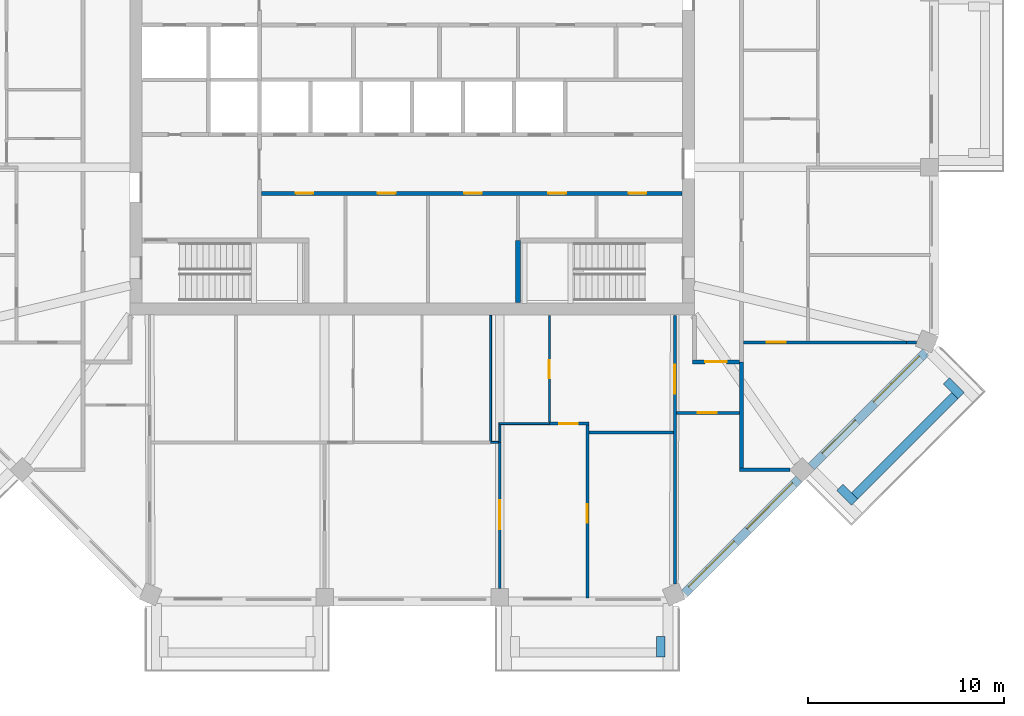
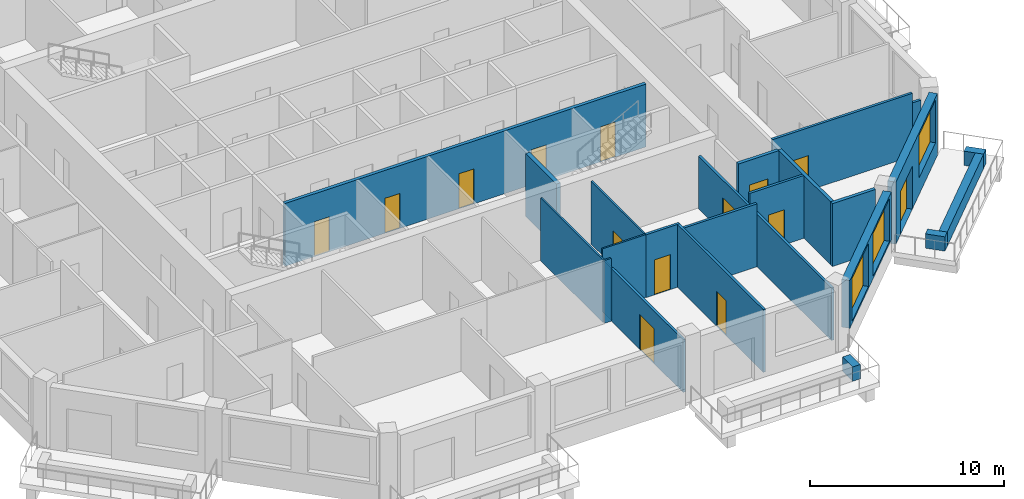
# One storey, part 5 of 12: 24 walls, 14 doors, 3 windows, 17 openings.
"""IFC4 building model written with IfcOpenShell, lengths in metres."""

import ifcopenshell
import ifcopenshell.guid

model = None  # the IFC model being written
_history = None  # IfcOwnerHistory: only IFC2X3 demands one
_inside = {}  # id of a spatial element -> (the spatial element, [elements in it])
_under = {}  # id of a project, library or spatial element -> (it, [spatial elements below it])
_declared = {}  # id of a project -> (the project, [libraries it declares])
_typed = {}  # id of a type object -> (the type object, [elements of that type])
_made_of = {}  # id of a material, layer set ... -> (it, [elements and type objects made of it])


def new_model(schema):
    """Start an empty IFC model of exactly this schema.

    Asked for "IFC4X3", IfcOpenShell would pick the latest addendum, in which some entities
    have other attributes; the version numbers below select the first issue.
    IFC2X3 requires an IfcOwnerHistory on every rooted entity: one is made here for all.
    """
    global model, _history
    if schema == "IFC4X3":
        model = ifcopenshell.file(schema_version=(4, 3, 0, 0))
    else:
        model = ifcopenshell.file(schema=schema)
    _inside.clear()
    _under.clear()
    _declared.clear()
    _typed.clear()
    _made_of.clear()
    _history = None
    if model.schema == "IFC2X3":
        org = make("IfcOrganization", Name="unknown")
        user = make(
            "IfcPersonAndOrganization",
            ThePerson=make("IfcPerson", FamilyName="unknown"),
            TheOrganization=org,
        )
        app = make(
            "IfcApplication",
            ApplicationDeveloper=org,
            Version="unknown",
            ApplicationFullName="unknown",
            ApplicationIdentifier="unknown",
        )
        _history = make(
            "IfcOwnerHistory",
            OwningUser=user,
            OwningApplication=app,
            ChangeAction="ADDED",
            CreationDate=0,
        )
    return model


def make(cls, **values):
    """One entity of the class cls with the attributes given. An attribute that is None is left unset."""
    return model.create_entity(
        cls, **{name: value for name, value in values.items() if value is not None}
    )


def rooted(cls, **values):
    """An entity with a GlobalId (a new one), such as an element, a storey or a relation."""
    return make(cls, GlobalId=ifcopenshell.guid.new(), OwnerHistory=_history, **values)


def si_unit(unit_type, name, prefix=None):
    """IfcSIUnit, for example si_unit("LENGTHUNIT", "METRE", prefix="MILLI")."""
    return make("IfcSIUnit", UnitType=unit_type, Prefix=prefix, Name=name)


def assignment(units):
    """IfcUnitAssignment: the units of a project."""
    return None if units is None else make("IfcUnitAssignment", Units=units)


def point(xyz):
    """IfcCartesianPoint."""
    return None if xyz is None else make("IfcCartesianPoint", Coordinates=xyz)


def direction(xyz):
    """IfcDirection."""
    return None if xyz is None else make("IfcDirection", DirectionRatios=xyz)


def frame(location, z_axis=None, x_axis=None):
    """IfcAxis2Placement3D, a coordinate frame: its origin and axes. An axis left out is left unset."""
    return make(
        "IfcAxis2Placement3D",
        Location=point(location),
        Axis=direction(z_axis),
        RefDirection=direction(x_axis),
    )


def frame_2d(location, x_axis=None):
    """IfcAxis2Placement2D, a coordinate frame in the plane: its origin and x axis."""
    return make(
        "IfcAxis2Placement2D", Location=point(location), RefDirection=direction(x_axis)
    )


def origin():
    """The frame at (0, 0, 0) with its axes left unset."""
    return frame((0.0, 0.0, 0.0))


def place(relative_to, where):
    """IfcLocalPlacement: puts the frame where relative to a parent placement (None: the world)."""
    return make(
        "IfcLocalPlacement", PlacementRelTo=relative_to, RelativePlacement=where
    )


def context(
    kind, dimensions, precision=None, world=None, true_north=None, identifier=None
):
    """IfcGeometricRepresentationContext, for example the 3D "Model" context."""
    return make(
        "IfcGeometricRepresentationContext",
        ContextIdentifier=identifier,
        ContextType=kind,
        CoordinateSpaceDimension=dimensions,
        Precision=precision,
        WorldCoordinateSystem=world,
        TrueNorth=true_north,
    )


def subcontext(parent, identifier, kind, view, scale=None):
    """IfcGeometricRepresentationSubContext, for example "Body" below "Model"."""
    return make(
        "IfcGeometricRepresentationSubContext",
        ContextIdentifier=identifier,
        ContextType=kind,
        ParentContext=parent,
        TargetScale=scale,
        TargetView=view,
    )


def project(units=None, contexts=None):
    """IfcProject with its units and contexts."""
    return rooted(
        "IfcProject",
        Name="project",
        RepresentationContexts=contexts,
        UnitsInContext=assignment(units),
    )


def spatial(cls, under=None, at=None, **own):
    """A site, building, storey or space (cls), placed at a placement, below another one or the project."""
    s = rooted(cls, ObjectPlacement=at, **own)
    if under is not None:
        _under.setdefault(under.id(), (under, []))[1].append(s)
    return s


def profile(cls, at=None, kind="AREA", **sizes):
    """A parametric profile (cls). Its sizes go by their IFC names, for example OverallWidth=200.0."""
    return make(cls, ProfileType=kind, Position=at, **sizes)


def rectangle(**sizes):
    """IfcRectangleProfileDef."""
    return profile("IfcRectangleProfileDef", **sizes)


def extrude(swept, where, along, depth):
    """IfcExtrudedAreaSolid: the profile swept, set in the frame where, extruded along a direction by depth."""
    return make(
        "IfcExtrudedAreaSolid",
        SweptArea=swept,
        Position=where,
        ExtrudedDirection=direction(along),
        Depth=depth,
    )


def shape(context_of_items, identifier, shape_type, items):
    """IfcShapeRepresentation: the items that make up one representation, for example the "Body"."""
    return make(
        "IfcShapeRepresentation",
        ContextOfItems=context_of_items,
        RepresentationIdentifier=identifier,
        RepresentationType=shape_type,
        Items=items,
    )


def material(Name=None, Category=None):
    """IfcMaterial."""
    return make("IfcMaterial", Name=Name, Category=Category)


def layer(
    of_material, thickness, ventilated=None, Name=None, Category=None, Priority=None
):
    """IfcMaterialLayer: one layer of a wall or slab, of a material (None: an air gap)."""
    return make(
        "IfcMaterialLayer",
        Material=of_material,
        LayerThickness=thickness,
        IsVentilated=ventilated,
        Name=Name,
        Category=Category,
        Priority=Priority,
    )


def layer_set(layers, Name=None):
    """IfcMaterialLayerSet."""
    return make("IfcMaterialLayerSet", MaterialLayers=layers, LayerSetName=Name)


def made_of(thing, what):
    """Note that an element or type object is made of a material, layer set ...; save() writes the relation."""
    if what is not None:
        _made_of.setdefault(what.id(), (what, []))[1].append(thing)
    return thing


def type_object(cls, material=None, **own):
    """A type object (cls), such as IfcWallType, which elements share."""
    return made_of(rooted(cls, **own), material)


def element(
    cls,
    number,
    at=None,
    inside=None,
    cuts=None,
    type_object=None,
    material=None,
    context=None,
    identifier="Body",
    shape_type=None,
    held_by="IfcProductDefinitionShape",
    body=None,
    shapes=None,
    **own,
):
    """One element of the class cls, such as IfcWall. Its Tag is "e" and its number.

    at: its placement. inside: the storey or other place that contains it. cuts: it is an
    opening in that element (IfcRelVoidsElement). A single representation is given by context,
    identifier, shape_type and body (its items); several are given by shapes. held_by: the class
    of the entity that holds the representations. save() writes the other relations.
    """
    e = rooted(cls, Tag="e%d" % number, ObjectPlacement=at, **own)
    if body is not None:
        shapes = [shape(context, identifier, shape_type, body)]
    if shapes is not None:
        e.Representation = make(held_by, Representations=shapes)
    if inside is not None:
        _inside.setdefault(inside.id(), (inside, []))[1].append(e)
    if cuts is not None:
        rooted(
            "IfcRelVoidsElement", RelatingBuildingElement=cuts, RelatedOpeningElement=e
        )
    if type_object is not None:
        _typed.setdefault(type_object.id(), (type_object, []))[1].append(e)
    return made_of(e, material)


def fill(opening, filler):
    """IfcRelFillsElement: the door or window that sits in an opening."""
    return rooted(
        "IfcRelFillsElement",
        RelatingOpeningElement=opening,
        RelatedBuildingElement=filler,
    )


def aggregate(whole, parts):
    """IfcRelAggregates: a whole, such as a stair, and the parts it consists of."""
    return rooted("IfcRelAggregates", RelatingObject=whole, RelatedObjects=parts)


def save(model, path):
    """Write the relations noted so far, then the file.

    IfcRelAggregates (storeys below a building ...), IfcRelContainedInSpatialStructure (elements
    in a storey), IfcRelDefinesByType, IfcRelAssociatesMaterial and IfcRelDeclares: one each for
    every whole, place, type object, material and project.
    """
    for whole, parts in _under.values():
        aggregate(whole, parts)
    for where, things in _inside.values():
        rooted(
            "IfcRelContainedInSpatialStructure",
            RelatedElements=things,
            RelatingStructure=where,
        )
    for kind, things in _typed.values():
        rooted("IfcRelDefinesByType", RelatedObjects=things, RelatingType=kind)
    for what, things in _made_of.values():
        rooted("IfcRelAssociatesMaterial", RelatedObjects=things, RelatingMaterial=what)
    for by, libraries in _declared.values():
        rooted("IfcRelDeclares", RelatingContext=by, RelatedDefinitions=libraries)
    model.write(path)


model = new_model("IFC4")

# Units and contexts
model_context = context("Model", 3, precision=1e-05, world=origin(), true_north=direction((0.0, 1.0)))
body_context = subcontext(model_context, "Body", "Model", "MODEL_VIEW")
ifc_project = project(units=[si_unit("LENGTHUNIT", "METRE"), si_unit("AREAUNIT", "SQUARE_METRE"), si_unit("VOLUMEUNIT", "CUBIC_METRE"), si_unit("PLANEANGLEUNIT", "RADIAN"), si_unit("MASSUNIT", "GRAM", prefix="KILO")], contexts=[model_context])

# Site, building, storey
site_placement = place(None, origin())
site = spatial("IfcSite", under=ifc_project, at=site_placement, CompositionType="ELEMENT")
building_placement = place(site_placement, origin())
building = spatial("IfcBuilding", under=site, at=building_placement, Name="Msitu Wima Residences", CompositionType="ELEMENT")
storey_placement = place(building_placement, frame((0.0, 0.0, 218.10009765625)))
storey = spatial("IfcBuildingStorey", under=building, at=storey_placement, Name="L50", CompositionType="ELEMENT", Elevation=218.10009765625)

# Walls
ifc_material_1 = material(Name="Facing brick")
ifc_layer_1 = layer(ifc_material_1, 0.06494140625, Name="Facing brick")
ifc_material_2 = material(Name="Concrete C40/50", Category="concrete")
ifc_layer_2 = layer(ifc_material_2, 0.156005859375, Name="Concrete C40/50")
ifc_material_3 = material(Name="Waterproofing membrane")
ifc_layer_3 = layer(ifc_material_3, 0.00390625, Name="Waterproofing membrane")
ifc_material_4 = material(Name="Planting soil and planting")
ifc_layer_4 = layer(ifc_material_4, 0.22509765625, Name="Planting soil and planting")
ifc_layer_set_1 = layer_set([ifc_layer_1, ifc_layer_2, ifc_layer_3, ifc_layer_4], Name="Concrete C40/50")
wall_type_1 = type_object("IfcWallType", Name="Balcony planter PLANTER PL450", PredefinedType="USERDEFINED", material=ifc_layer_set_1)
wall_1_placement = place(storey_placement, frame((12.680908203125, -28.39990234375, 0.0), z_axis=(0.0, 0.0, 1.0), x_axis=(0.0, -1.0, 0.0)))
element("IfcWall", 1, at=wall_1_placement, inside=storey, type_object=wall_type_1, Name="Balcony planter S2 L50", ObjectType="PLANTER", PredefinedType="USERDEFINED", context=body_context, shape_type="SweptSolid", body=[
    extrude(rectangle(XDim=1.050048828125, YDim=0.449951171875, at=frame_2d((0.52490234375, 0.0))), origin(), (0.0, 0.0, 1.0), 0.89990234375),
])
wall_2_placement = place(storey_placement, frame((22.572265625, -21.228759765625, 0.0), z_axis=(0.0, 0.0, 1.0), x_axis=(0.707106781187, 0.707106781187, 0.0)))
element("IfcWall", 2, at=wall_2_placement, inside=storey, type_object=wall_type_1, Name="Balcony planter SE1 L50", ObjectType="PLANTER", PredefinedType="USERDEFINED", context=body_context, shape_type="SweptSolid", body=[
    extrude(rectangle(XDim=7.23828125, YDim=0.449951171875, at=frame_2d((3.619140625, 0.0))), origin(), (0.0, 0.0, 1.0), 0.89990234375),
])
for number, where, z_axis, x_axis, name in (
    (3, (21.829833984375, -20.804443359375, 0.0), (0.0, 0.0, 1.0), (0.707106781187, -0.707106781187, 0.0), "Balcony planter SE1 L50"),
    (4, (27.26611328125, -15.3681640625, 0.0), (0.0, 0.0, 1.0), (0.707223014731, -0.706990528533, 0.0), "Balcony planter SE1 L50"),
):
    element("IfcWall", number, at=place(storey_placement, frame(where, z_axis=z_axis, x_axis=x_axis)), inside=storey, type_object=wall_type_1, Name=name, ObjectType="PLANTER", PredefinedType="USERDEFINED", context=body_context, shape_type="SweptSolid", body=[
        extrude(rectangle(XDim=1.050048828125, YDim=0.449951171875, at=frame_2d((0.52490234375, 0.0))), origin(), (0.0, 0.0, 1.0), 0.89990234375),
    ])

# Wall, openings, windows
ifc_material_5 = material(Name="Brick (red buff mix)", Category="masonry")
ifc_layer_5 = layer(ifc_material_5, 0.449951171875)
ifc_layer_set_2 = layer_set([ifc_layer_5], Name="Brick (red buff mix)")
wall_type_2 = type_object("IfcWallType", Name="Brick infill wall BW450", PredefinedType="SOLIDWALL", material=ifc_layer_set_2)
wall_3_placement = place(storey_placement, frame((13.909423828125, -26.214599609375, 0.89990234375), z_axis=(0.0, 0.0, 1.0), x_axis=(0.707106781187, 0.707106781187, 0.0)))
wall_3 = element("IfcWall", 5, at=wall_3_placement, inside=storey, type_object=wall_type_2, Name="Brick infill wall L50 SE0", PredefinedType="SOLIDWALL", context=body_context, shape_type="SweptSolid", body=[
    extrude(rectangle(XDim=8.251220703125, YDim=0.449951171875, at=frame_2d((4.12548828125, 0.0))), origin(), (0.0, 0.0, 1.0), 3.0),
])
opening_1_placement = place(wall_3_placement, frame((0.37548828125, 0.0, 0.14990234375)))
opening_1 = element("IfcOpeningElement", 6, at=opening_1_placement, cuts=wall_3, Name="Opening W50-51.020", PredefinedType="OPENING", context=body_context, shape_type="SweptSolid", body=[
    extrude(rectangle(XDim=3.300048828125, YDim=2.699951171875, at=frame_2d((1.64990234375, 1.35009765625))), frame((0.0, 0.23486328125, 0.0), z_axis=(0.0, -1.0, 0.0), x_axis=(1.0, 0.0, 0.0)), (0.0, 0.0, 1.0), 0.469970703125),
])
opening_2_placement = place(wall_3_placement, frame((4.57568359375, 0.0, 0.14990234375)))
opening_2 = element("IfcOpeningElement", 7, at=opening_2_placement, cuts=wall_3, Name="Opening W50-51.021", PredefinedType="OPENING", context=body_context, shape_type="SweptSolid", body=[
    extrude(rectangle(XDim=3.300048828125, YDim=2.699951171875, at=frame_2d((1.64990234375, 1.35009765625))), frame((0.0, 0.23486328125, 0.0), z_axis=(0.0, -1.0, 0.0), x_axis=(1.0, 0.0, 0.0)), (0.0, 0.0, 1.0), 0.469970703125),
])
ifc_material_6 = material(Name="Anodised aluminium, bronze finish, clear low-emissivity double glazing", Category="aluminium")
window_type = type_object("IfcWindowType", Name="Window W3300x2700", PartitioningType="DOUBLE_PANEL_VERTICAL", PredefinedType="WINDOW", material=ifc_material_6)
window_1_placement = place(opening_1_placement, origin())
window_1 = element("IfcWindow", 8, at=window_1_placement, inside=storey, type_object=window_type, Name="Window L50 SE0.1", OverallHeight=2.699951171875, OverallWidth=3.300048828125, PartitioningType="SINGLE_PANEL", PredefinedType="WINDOW", context=body_context, shape_type="SweptSolid", body=[
    extrude(rectangle(XDim=3.300048828125, YDim=2.699951171875, at=frame_2d((1.64990234375, 1.35009765625))), frame((0.0, 0.135009765625, 0.0), z_axis=(0.0, -1.0, 0.0), x_axis=(1.0, 0.0, 0.0)), (0.0, 0.0, 1.0), 0.06005859375),
])
fill(opening_1, window_1)
window_2_placement = place(opening_2_placement, origin())
window_2 = element("IfcWindow", 9, at=window_2_placement, inside=storey, type_object=window_type, Name="Window L50 SE0.2", OverallHeight=2.699951171875, OverallWidth=3.300048828125, PartitioningType="SINGLE_PANEL", PredefinedType="WINDOW", context=body_context, shape_type="SweptSolid", body=[
    extrude(rectangle(XDim=3.300048828125, YDim=2.699951171875, at=frame_2d((1.64990234375, 1.35009765625))), frame((0.0, 0.135009765625, 0.0), z_axis=(0.0, -1.0, 0.0), x_axis=(1.0, 0.0, 0.0)), (0.0, 0.0, 1.0), 0.06005859375),
])
fill(opening_2, window_2)

# Wall, openings, door, window
wall_4_placement = place(storey_placement, frame((20.380126953125, -19.743896484375, 0.0), z_axis=(0.0, 0.0, 1.0), x_axis=(0.707106781187, 0.707106781187, 0.0)))
wall_4 = element("IfcWall", 10, at=wall_4_placement, inside=storey, type_object=wall_type_2, Name="Brick infill wall L50 SE1", PredefinedType="SOLIDWALL", context=body_context, shape_type="SweptSolid", body=[
    extrude(rectangle(XDim=8.251220703125, YDim=0.449951171875, at=frame_2d((4.12548828125, 0.0))), origin(), (0.0, 0.0, 1.0), 3.89990234375),
])
opening_3_placement = place(wall_4_placement, frame((0.86279296875, 0.0, 0.0)))
opening_3 = element("IfcOpeningElement", 11, at=opening_3_placement, cuts=wall_4, Name="Opening D50-51.008", PredefinedType="OPENING", context=body_context, shape_type="SweptSolid", body=[
    extrude(rectangle(XDim=2.39990234375, YDim=2.699951171875, at=frame_2d((1.199951171875, 1.35009765625))), frame((0.0, 0.23486328125, 0.0), z_axis=(0.0, -1.0, 0.0), x_axis=(1.0, 0.0, 0.0)), (0.0, 0.0, 1.0), 0.469970703125),
])
opening_4_placement = place(wall_4_placement, frame((4.57568359375, 0.0, 1.050048828125)))
opening_4 = element("IfcOpeningElement", 12, at=opening_4_placement, cuts=wall_4, Name="Opening W50-51.022", PredefinedType="OPENING", context=body_context, shape_type="SweptSolid", body=[
    extrude(rectangle(XDim=3.300048828125, YDim=2.699951171875, at=frame_2d((1.64990234375, 1.35009765625))), frame((0.0, 0.23486328125, 0.0), z_axis=(0.0, -1.0, 0.0), x_axis=(1.0, 0.0, 0.0)), (0.0, 0.0, 1.0), 0.469970703125),
])
door_type_1 = type_object("IfcDoorType", Name="Balcony door D2400x2700", OperationType="SLIDING_TO_LEFT", PredefinedType="DOOR", material=ifc_material_6)
door_1_placement = place(opening_3_placement, origin())
door_1 = element("IfcDoor", 13, at=door_1_placement, inside=storey, type_object=door_type_1, Name="Balcony door L50 SE1", OperationType="SINGLE_SWING_LEFT", OverallHeight=2.699951171875, OverallWidth=2.39990234375, PredefinedType="DOOR", context=body_context, shape_type="SweptSolid", body=[
    extrude(rectangle(XDim=2.39990234375, YDim=2.699951171875, at=frame_2d((1.199951171875, 1.35009765625))), frame((0.0, 0.1298828125, 0.0), z_axis=(0.0, -1.0, 0.0), x_axis=(1.0, 0.0, 0.0)), (0.0, 0.0, 1.0), 0.050048828125),
])
fill(opening_3, door_1)
window_3_placement = place(opening_4_placement, origin())
window_3 = element("IfcWindow", 14, at=window_3_placement, inside=storey, type_object=window_type, Name="Window L50 SE1.2", OverallHeight=2.699951171875, OverallWidth=3.300048828125, PartitioningType="SINGLE_PANEL", PredefinedType="WINDOW", context=body_context, shape_type="SweptSolid", body=[
    extrude(rectangle(XDim=3.300048828125, YDim=2.699951171875, at=frame_2d((1.64990234375, 1.35009765625))), frame((0.0, 0.135009765625, 0.0), z_axis=(0.0, -1.0, 0.0), x_axis=(1.0, 0.0, 0.0)), (0.0, 0.0, 1.0), 0.06005859375),
])
fill(opening_4, window_3)

# Wall, openings, doors
ifc_material_7 = material(Name="Plaster")
ifc_layer_6 = layer(ifc_material_7, 0.011962890625, Name="Plaster")
ifc_material_8 = material(Name="Concrete blockwork", Category="masonry")
ifc_layer_7 = layer(ifc_material_8, 0.176025390625, Name="Concrete blockwork")
ifc_layer_8 = layer(ifc_material_7, 0.011962890625, Name="Plaster")
ifc_layer_set_3 = layer_set([ifc_layer_6, ifc_layer_7, ifc_layer_8], Name="Concrete blockwork")
wall_type_3 = type_object("IfcWallType", Name="Corridor wall FW200", PredefinedType="PARTITIONING", material=ifc_layer_set_3)
wall_5_placement = place(storey_placement, frame((-7.699951171875, -5.800048828125, 0.0), z_axis=(0.0, 0.0, 1.0), x_axis=(1.0, 0.0, 0.0)))
wall_5 = element("IfcWall", 15, at=wall_5_placement, inside=storey, type_object=wall_type_3, Name="Corridor wall", PredefinedType="PARTITIONING", context=body_context, shape_type="SweptSolid", body=[
    extrude(rectangle(XDim=21.469970703125, YDim=0.199951171875, at=frame_2d((10.73486328125, 0.0))), origin(), (0.0, 0.0, 1.0), 3.949951171875),
])
opening_5_placement = place(wall_5_placement, frame((1.75, 0.0, 0.0)))
opening_5 = element("IfcOpeningElement", 16, at=opening_5_placement, cuts=wall_5, Name="Opening D50-51.067", PredefinedType="OPENING", context=body_context, shape_type="SweptSolid", body=[
    extrude(rectangle(XDim=0.89990234375, YDim=2.199951171875, at=frame_2d((0.449951171875, 1.10009765625))), frame((0.0, 0.10986328125, 0.0), z_axis=(0.0, -1.0, 0.0), x_axis=(1.0, 0.0, 0.0)), (0.0, 0.0, 1.0), 0.219970703125),
])
opening_6_placement = place(wall_5_placement, frame((5.949951171875, 0.0, 0.0)))
opening_6 = element("IfcOpeningElement", 17, at=opening_6_placement, cuts=wall_5, Name="Opening D50-51.068", PredefinedType="OPENING", context=body_context, shape_type="SweptSolid", body=[
    extrude(rectangle(XDim=0.89990234375, YDim=2.199951171875, at=frame_2d((0.449951171875, 1.10009765625))), frame((0.0, 0.10986328125, 0.0), z_axis=(0.0, -1.0, 0.0), x_axis=(1.0, 0.0, 0.0)), (0.0, 0.0, 1.0), 0.219970703125),
])
opening_7_placement = place(wall_5_placement, frame((10.35009765625, 0.0, 0.0)))
opening_7 = element("IfcOpeningElement", 18, at=opening_7_placement, cuts=wall_5, Name="Opening D50-51.069", PredefinedType="OPENING", context=body_context, shape_type="SweptSolid", body=[
    extrude(rectangle(XDim=0.89990234375, YDim=2.199951171875, at=frame_2d((0.449951171875, 1.10009765625))), frame((0.0, 0.10986328125, 0.0), z_axis=(0.0, -1.0, 0.0), x_axis=(1.0, 0.0, 0.0)), (0.0, 0.0, 1.0), 0.219970703125),
])
opening_8_placement = place(wall_5_placement, frame((14.64990234375, 0.0, 0.0)))
opening_8 = element("IfcOpeningElement", 19, at=opening_8_placement, cuts=wall_5, Name="Opening D50-51.070", PredefinedType="OPENING", context=body_context, shape_type="SweptSolid", body=[
    extrude(rectangle(XDim=0.89990234375, YDim=2.199951171875, at=frame_2d((0.449951171875, 1.10009765625))), frame((0.0, 0.10986328125, 0.0), z_axis=(0.0, -1.0, 0.0), x_axis=(1.0, 0.0, 0.0)), (0.0, 0.0, 1.0), 0.219970703125),
])
opening_9_placement = place(wall_5_placement, frame((18.75, 0.0, 0.0)))
opening_9 = element("IfcOpeningElement", 20, at=opening_9_placement, cuts=wall_5, Name="Opening D50-51.071", PredefinedType="OPENING", context=body_context, shape_type="SweptSolid", body=[
    extrude(rectangle(XDim=0.89990234375, YDim=2.199951171875, at=frame_2d((0.449951171875, 1.10009765625))), frame((0.0, 0.10986328125, 0.0), z_axis=(0.0, -1.0, 0.0), x_axis=(1.0, 0.0, 0.0)), (0.0, 0.0, 1.0), 0.219970703125),
])
ifc_material_9 = material(Name="Timber flush door", Category="wood")
door_type_2 = type_object("IfcDoorType", Name="Service door D05 900x2200", OperationType="SINGLE_SWING_LEFT", PredefinedType="DOOR", material=ifc_material_9)
door_2_placement = place(opening_5_placement, origin())
door_2 = element("IfcDoor", 21, at=door_2_placement, inside=storey, type_object=door_type_2, Name="Service door", OperationType="SINGLE_SWING_LEFT", OverallHeight=2.199951171875, OverallWidth=0.89990234375, PredefinedType="DOOR", context=body_context, shape_type="SweptSolid", body=[
    extrude(rectangle(XDim=0.89990234375, YDim=2.199951171875, at=frame_2d((0.449951171875, 1.10009765625))), frame((0.0, 0.02490234375, 0.0), z_axis=(0.0, -1.0, 0.0), x_axis=(1.0, 0.0, 0.0)), (0.0, 0.0, 1.0), 0.050048828125),
])
fill(opening_5, door_2)
door_3_placement = place(opening_6_placement, origin())
door_3 = element("IfcDoor", 22, at=door_3_placement, inside=storey, type_object=door_type_2, Name="Service door", OperationType="SINGLE_SWING_RIGHT", OverallHeight=2.199951171875, OverallWidth=0.89990234375, PredefinedType="DOOR", context=body_context, shape_type="SweptSolid", body=[
    extrude(rectangle(XDim=0.89990234375, YDim=2.199951171875, at=frame_2d((0.449951171875, 1.10009765625))), frame((0.0, 0.02490234375, 0.0), z_axis=(0.0, -1.0, 0.0), x_axis=(1.0, 0.0, 0.0)), (0.0, 0.0, 1.0), 0.050048828125),
])
fill(opening_6, door_3)
door_4_placement = place(opening_7_placement, origin())
door_4 = element("IfcDoor", 23, at=door_4_placement, inside=storey, type_object=door_type_2, Name="Service door", OperationType="SINGLE_SWING_LEFT", OverallHeight=2.199951171875, OverallWidth=0.89990234375, PredefinedType="DOOR", context=body_context, shape_type="SweptSolid", body=[
    extrude(rectangle(XDim=0.89990234375, YDim=2.199951171875, at=frame_2d((0.449951171875, 1.10009765625))), frame((0.0, 0.02490234375, 0.0), z_axis=(0.0, -1.0, 0.0), x_axis=(1.0, 0.0, 0.0)), (0.0, 0.0, 1.0), 0.050048828125),
])
fill(opening_7, door_4)
door_5_placement = place(opening_8_placement, origin())
door_5 = element("IfcDoor", 24, at=door_5_placement, inside=storey, type_object=door_type_2, Name="Service door", OperationType="SINGLE_SWING_LEFT", OverallHeight=2.199951171875, OverallWidth=0.89990234375, PredefinedType="DOOR", context=body_context, shape_type="SweptSolid", body=[
    extrude(rectangle(XDim=0.89990234375, YDim=2.199951171875, at=frame_2d((0.449951171875, 1.10009765625))), frame((0.0, 0.02490234375, 0.0), z_axis=(0.0, -1.0, 0.0), x_axis=(1.0, 0.0, 0.0)), (0.0, 0.0, 1.0), 0.050048828125),
])
fill(opening_8, door_5)
door_6_placement = place(opening_9_placement, origin())
door_6 = element("IfcDoor", 25, at=door_6_placement, inside=storey, type_object=door_type_2, Name="Service door", OperationType="SINGLE_SWING_RIGHT", OverallHeight=2.199951171875, OverallWidth=0.89990234375, PredefinedType="DOOR", context=body_context, shape_type="SweptSolid", body=[
    extrude(rectangle(XDim=0.89990234375, YDim=2.199951171875, at=frame_2d((0.449951171875, 1.10009765625))), frame((0.0, 0.02490234375, 0.0), z_axis=(0.0, -1.0, 0.0), x_axis=(1.0, 0.0, 0.0)), (0.0, 0.0, 1.0), 0.050048828125),
])
fill(opening_9, door_6)

# Wall, opening, door
wall_6_placement = place(storey_placement, frame((14.300048828125, -14.39990234375, 0.0), z_axis=(0.0, 0.0, 1.0), x_axis=(1.0, 0.0, 0.0)))
wall_6 = element("IfcWall", 26, at=wall_6_placement, inside=storey, type_object=wall_type_3, Name="Corridor wall", PredefinedType="PARTITIONING", context=body_context, shape_type="SweptSolid", body=[
    extrude(rectangle(XDim=2.39990234375, YDim=0.199951171875, at=frame_2d((1.199951171875, 0.0))), origin(), (0.0, 0.0, 1.0), 3.949951171875),
])
opening_10_placement = place(wall_6_placement, frame((0.64990234375, 0.0, 0.0)))
opening_10 = element("IfcOpeningElement", 27, at=opening_10_placement, cuts=wall_6, Name="Opening D50-51.046", PredefinedType="OPENING", context=body_context, shape_type="SweptSolid", body=[
    extrude(rectangle(XDim=1.10009765625, YDim=2.39990234375, at=frame_2d((0.550048828125, 1.199951171875))), frame((0.0, 0.10986328125, 0.0), z_axis=(0.0, -1.0, 0.0), x_axis=(1.0, 0.0, 0.0)), (0.0, 0.0, 1.0), 0.219970703125),
])
ifc_material_10 = material(Name="Timber flush door, fire resisting, self-closing", Category="wood")
door_type_3 = type_object("IfcDoorType", Name="Flat entrance door D01 1100x2400", OperationType="SINGLE_SWING_LEFT", PredefinedType="DOOR", material=ifc_material_10)
door_7_placement = place(opening_10_placement, origin())
door_7 = element("IfcDoor", 28, at=door_7_placement, inside=storey, type_object=door_type_3, Name="Flat entrance door", OperationType="SINGLE_SWING_LEFT", OverallHeight=2.39990234375, OverallWidth=1.10009765625, PredefinedType="DOOR", context=body_context, shape_type="SweptSolid", body=[
    extrude(rectangle(XDim=1.10009765625, YDim=2.39990234375, at=frame_2d((0.550048828125, 1.199951171875))), frame((0.0, 0.02490234375, 0.0), z_axis=(0.0, -1.0, 0.0), x_axis=(1.0, 0.0, 0.0)), (0.0, 0.0, 1.0), 0.050048828125),
])
fill(opening_10, door_7)

ifc_layer_9 = layer(ifc_material_7, 0.011962890625, Name="Plaster")
ifc_layer_10 = layer(ifc_material_8, 0.1259765625, Name="Concrete blockwork")
ifc_layer_11 = layer(ifc_material_7, 0.011962890625, Name="Plaster")
ifc_layer_set_4 = layer_set([ifc_layer_9, ifc_layer_10, ifc_layer_11], Name="Concrete blockwork")
wall_type_4 = type_object("IfcWallType", Name="Partition PW150", PredefinedType="PARTITIONING", material=ifc_layer_set_4)
wall_7_placement = place(storey_placement, frame((4.46875, -25.949951171875, 0.0), z_axis=(0.0, 0.0, 1.0), x_axis=(0.0, 1.0, 0.0)))
wall_7 = element("IfcWall", 29, at=wall_7_placement, inside=storey, type_object=wall_type_4, Name="Partition", PredefinedType="PARTITIONING", context=body_context, shape_type="SweptSolid", body=[
    extrude(rectangle(XDim=7.449951171875, YDim=0.14990234375, at=frame_2d((3.72509765625, 0.0))), origin(), (0.0, 0.0, 1.0), 3.2998046875),
])
opening_11_placement = place(wall_7_placement, frame((3.0, 0.0, 0.0)))
opening_11 = element("IfcOpeningElement", 30, at=opening_11_placement, cuts=wall_7, Name="Opening D50-51.056", PredefinedType="OPENING", context=body_context, shape_type="SweptSolid", body=[
    extrude(rectangle(XDim=1.5, YDim=2.199951171875, at=frame_2d((0.75, 1.10009765625))), frame((0.0, 0.0849609375, 0.0), z_axis=(0.0, -1.0, 0.0), x_axis=(1.0, 0.0, 0.0)), (0.0, 0.0, 1.0), 0.169921875),
])
ifc_material_11 = material(Name="Timber double door", Category="wood")
door_type_4 = type_object("IfcDoorType", Name="Double door D04 1500x2200", OperationType="DOUBLE_DOOR_SINGLE_SWING", PredefinedType="DOOR", material=ifc_material_11)
door_8_placement = place(opening_11_placement, origin())
door_8 = element("IfcDoor", 31, at=door_8_placement, inside=storey, type_object=door_type_4, Name="Double door", OperationType="DOUBLE_DOOR_SINGLE_SWING", OverallHeight=2.199951171875, OverallWidth=1.5, PredefinedType="DOOR", context=body_context, shape_type="SweptSolid", body=[
    extrude(rectangle(XDim=1.5, YDim=2.199951171875, at=frame_2d((0.75, 1.10009765625))), frame((0.0, 0.02490234375, 0.0), z_axis=(0.0, -1.0, 0.0), x_axis=(1.0, 0.0, 0.0)), (0.0, 0.0, 1.0), 0.050048828125),
])
fill(opening_11, door_8)

wall_8_placement = place(storey_placement, frame((7.0, -17.550048828125, 0.0), z_axis=(0.0, 0.0, 1.0), x_axis=(1.0, 0.0, 0.0)))
wall_8 = element("IfcWall", 32, at=wall_8_placement, inside=storey, type_object=wall_type_4, Name="Partition", PredefinedType="PARTITIONING", context=body_context, shape_type="SweptSolid", body=[
    extrude(rectangle(XDim=2.01220703125, YDim=0.14990234375, at=frame_2d((1.006103515625, 0.0))), origin(), (0.0, 0.0, 1.0), 3.949951171875),
])
opening_12_placement = place(wall_8_placement, frame((0.5, 0.0, 0.0)))
opening_12 = element("IfcOpeningElement", 33, at=opening_12_placement, cuts=wall_8, Name="Opening D50-51.052", PredefinedType="OPENING", context=body_context, shape_type="SweptSolid", body=[
    extrude(rectangle(XDim=0.949951171875, YDim=2.199951171875, at=frame_2d((0.47509765625, 1.10009765625))), frame((0.0, 0.0849609375, 0.0), z_axis=(0.0, -1.0, 0.0), x_axis=(1.0, 0.0, 0.0)), (0.0, 0.0, 1.0), 0.169921875),
])
door_type_5 = type_object("IfcDoorType", Name="Room door D12 950x2200", OperationType="SINGLE_SWING_LEFT", PredefinedType="DOOR", material=ifc_material_9)
door_9_placement = place(opening_12_placement, origin())
door_9 = element("IfcDoor", 34, at=door_9_placement, inside=storey, type_object=door_type_5, Name="Room door", OperationType="SINGLE_SWING_LEFT", OverallHeight=2.199951171875, OverallWidth=0.949951171875, PredefinedType="DOOR", context=body_context, shape_type="SweptSolid", body=[
    extrude(rectangle(XDim=0.949951171875, YDim=2.199951171875, at=frame_2d((0.47509765625, 1.10009765625))), frame((0.0, 0.02490234375, 0.0), z_axis=(0.0, -1.0, 0.0), x_axis=(1.0, 0.0, 0.0)), (0.0, 0.0, 1.0), 0.050048828125),
])
fill(opening_12, door_9)

wall_9_placement = place(storey_placement, frame((8.937255859375, -26.455078125, 0.0), z_axis=(0.0, 0.0, 1.0), x_axis=(0.0, 1.0, 0.0)))
wall_9 = element("IfcWall", 35, at=wall_9_placement, inside=storey, type_object=wall_type_4, Name="Partition", PredefinedType="PARTITIONING", context=body_context, shape_type="SweptSolid", body=[
    extrude(rectangle(XDim=8.830078125, YDim=0.14990234375, at=frame_2d((4.4150390625, 0.0))), origin(), (0.0, 0.0, 1.0), 3.949951171875),
])
opening_13_placement = place(wall_9_placement, frame((3.85009765625, 0.0, 0.0)))
opening_13 = element("IfcOpeningElement", 36, at=opening_13_placement, cuts=wall_9, Name="Opening D50-51.053", PredefinedType="OPENING", context=body_context, shape_type="SweptSolid", body=[
    extrude(rectangle(XDim=0.949951171875, YDim=2.199951171875, at=frame_2d((0.47509765625, 1.10009765625))), frame((0.0, 0.0849609375, 0.0), z_axis=(0.0, -1.0, 0.0), x_axis=(1.0, 0.0, 0.0)), (0.0, 0.0, 1.0), 0.169921875),
])
door_10_placement = place(opening_13_placement, origin())
door_10 = element("IfcDoor", 37, at=door_10_placement, inside=storey, type_object=door_type_5, Name="Room door", OperationType="SINGLE_SWING_LEFT", OverallHeight=2.199951171875, OverallWidth=0.949951171875, PredefinedType="DOOR", context=body_context, shape_type="SweptSolid", body=[
    extrude(rectangle(XDim=0.949951171875, YDim=2.199951171875, at=frame_2d((0.47509765625, 1.10009765625))), frame((0.0, 0.02490234375, 0.0), z_axis=(0.0, -1.0, 0.0), x_axis=(1.0, 0.0, 0.0)), (0.0, 0.0, 1.0), 0.050048828125),
])
fill(opening_13, door_10)

# Wall
wall_10_placement = place(storey_placement, frame((9.01220703125, -18.0, 0.0), z_axis=(0.0, 0.0, 1.0), x_axis=(1.0, 0.0, 0.0)))
element("IfcWall", 38, at=wall_10_placement, inside=storey, type_object=wall_type_4, Name="Partition", PredefinedType="PARTITIONING", context=body_context, shape_type="SweptSolid", body=[
    extrude(rectangle(XDim=4.318603515625, YDim=0.14990234375, at=frame_2d((2.1591796875, 0.0))), origin(), (0.0, 0.0, 1.0), 3.949951171875),
])

# Wall, opening, door
wall_11_placement = place(storey_placement, frame((13.406005859375, -25.731201171875, 0.0), z_axis=(0.0, 0.0, 1.0), x_axis=(0.0, 1.0, 0.0)))
wall_11 = element("IfcWall", 39, at=wall_11_placement, inside=storey, type_object=wall_type_4, Name="Partition", PredefinedType="PARTITIONING", context=body_context, shape_type="SweptSolid", body=[
    extrude(rectangle(XDim=13.701171875, YDim=0.14990234375, at=frame_2d((6.8505859375, 0.0))), origin(), (0.0, 0.0, 1.0), 3.2998046875),
])
opening_14_placement = place(wall_11_placement, frame((9.699951171875, 0.0, 0.0)))
opening_14 = element("IfcOpeningElement", 40, at=opening_14_placement, cuts=wall_11, Name="Opening D50-51.047", PredefinedType="OPENING", context=body_context, shape_type="SweptSolid", body=[
    extrude(rectangle(XDim=1.5, YDim=2.199951171875, at=frame_2d((0.75, 1.10009765625))), frame((0.0, 0.0849609375, 0.0), z_axis=(0.0, -1.0, 0.0), x_axis=(1.0, 0.0, 0.0)), (0.0, 0.0, 1.0), 0.169921875),
])
door_11_placement = place(opening_14_placement, origin())
door_11 = element("IfcDoor", 41, at=door_11_placement, inside=storey, type_object=door_type_4, Name="Double door", OperationType="DOUBLE_DOOR_SINGLE_SWING", OverallHeight=2.199951171875, OverallWidth=1.5, PredefinedType="DOOR", context=body_context, shape_type="SweptSolid", body=[
    extrude(rectangle(XDim=1.5, YDim=2.199951171875, at=frame_2d((0.75, 1.10009765625))), frame((0.0, 0.02490234375, 0.0), z_axis=(0.0, -1.0, 0.0), x_axis=(1.0, 0.0, 0.0)), (0.0, 0.0, 1.0), 0.050048828125),
])
fill(opening_14, door_11)

wall_12_placement = place(storey_placement, frame((13.48095703125, -17.0, 0.0), z_axis=(0.0, 0.0, 1.0), x_axis=(1.0, 0.0, 0.0)))
wall_12 = element("IfcWall", 42, at=wall_12_placement, inside=storey, type_object=wall_type_4, Name="Partition", PredefinedType="PARTITIONING", context=body_context, shape_type="SweptSolid", body=[
    extrude(rectangle(XDim=3.218994140625, YDim=0.14990234375, at=frame_2d((1.609375, 0.0))), origin(), (0.0, 0.0, 1.0), 3.949951171875),
])
opening_15_placement = place(wall_12_placement, frame((1.10009765625, 0.0, 0.0)))
opening_15 = element("IfcOpeningElement", 43, at=opening_15_placement, cuts=wall_12, Name="Opening D50-51.054", PredefinedType="OPENING", context=body_context, shape_type="SweptSolid", body=[
    extrude(rectangle(XDim=0.949951171875, YDim=2.199951171875, at=frame_2d((0.47509765625, 1.10009765625))), frame((0.0, 0.0849609375, 0.0), z_axis=(0.0, -1.0, 0.0), x_axis=(1.0, 0.0, 0.0)), (0.0, 0.0, 1.0), 0.169921875),
])
door_12_placement = place(opening_15_placement, origin())
door_12 = element("IfcDoor", 44, at=door_12_placement, inside=storey, type_object=door_type_5, Name="Room door", OperationType="SINGLE_SWING_RIGHT", OverallHeight=2.199951171875, OverallWidth=0.949951171875, PredefinedType="DOOR", context=body_context, shape_type="SweptSolid", body=[
    extrude(rectangle(XDim=0.949951171875, YDim=2.199951171875, at=frame_2d((0.47509765625, 1.10009765625))), frame((0.0, 0.02490234375, 0.0), z_axis=(0.0, -1.0, 0.0), x_axis=(1.0, 0.0, 0.0)), (0.0, 0.0, 1.0), 0.050048828125),
])
fill(opening_15, door_12)

wall_13_placement = place(storey_placement, frame((16.89990234375, -13.406005859375, 0.0), z_axis=(0.0, 0.0, 1.0), x_axis=(1.0, 0.0, 0.0)))
wall_13 = element("IfcWall", 45, at=wall_13_placement, inside=storey, type_object=wall_type_4, Name="Partition", PredefinedType="PARTITIONING", context=body_context, shape_type="SweptSolid", body=[
    extrude(rectangle(XDim=8.32421875, YDim=0.14990234375, at=frame_2d((4.162109375, 0.0))), origin(), (0.0, 0.0, 1.0), 3.949951171875),
])
opening_16_placement = place(wall_13_placement, frame((1.199951171875, 0.0, 0.0)))
opening_16 = element("IfcOpeningElement", 46, at=opening_16_placement, cuts=wall_13, Name="Opening D50-51.012", PredefinedType="OPENING", context=body_context, shape_type="SweptSolid", body=[
    extrude(rectangle(XDim=0.949951171875, YDim=2.199951171875, at=frame_2d((0.47509765625, 1.10009765625))), frame((0.0, 0.0849609375, 0.0), z_axis=(0.0, -1.0, 0.0), x_axis=(1.0, 0.0, 0.0)), (0.0, 0.0, 1.0), 0.169921875),
])
door_13_placement = place(opening_16_placement, origin())
door_13 = element("IfcDoor", 47, at=door_13_placement, inside=storey, type_object=door_type_5, Name="Room door", OperationType="SINGLE_SWING_RIGHT", OverallHeight=2.199951171875, OverallWidth=0.949951171875, PredefinedType="DOOR", context=body_context, shape_type="SweptSolid", body=[
    extrude(rectangle(XDim=0.949951171875, YDim=2.199951171875, at=frame_2d((0.47509765625, 1.10009765625))), frame((0.0, 0.02490234375, 0.0), z_axis=(0.0, -1.0, 0.0), x_axis=(1.0, 0.0, 0.0)), (0.0, 0.0, 1.0), 0.050048828125),
])
fill(opening_16, door_13)

# Walls
wall_14_placement = place(storey_placement, frame((25.22412109375, -13.406005859375, 0.0), z_axis=(0.0, 0.0, 1.0), x_axis=(1.0, 0.0, 0.0)))
element("IfcWall", 48, at=wall_14_placement, inside=storey, type_object=wall_type_4, Name="Partition", PredefinedType="PARTITIONING", context=body_context, shape_type="SweptSolid", body=[
    extrude(rectangle(XDim=0.507080078125, YDim=0.14990234375, at=frame_2d((0.25341796875, 0.0))), origin(), (0.0, 0.0, 1.0), 3.349853515625),
])
ifc_layer_12 = layer(ifc_material_7, 0.011962890625, Name="Plaster")
ifc_material_12 = material(Name="Dense concrete blockwork", Category="masonry")
ifc_layer_13 = layer(ifc_material_12, 0.176025390625, Name="Dense concrete blockwork")
ifc_layer_14 = layer(ifc_material_7, 0.011962890625, Name="Plaster")
ifc_layer_set_5 = layer_set([ifc_layer_12, ifc_layer_13, ifc_layer_14], Name="Dense concrete blockwork")
wall_type_5 = type_object("IfcWallType", Name="Party wall PW200", PredefinedType="PARTITIONING", material=ifc_layer_set_5)
wall_15_placement = place(storey_placement, frame((16.800048828125, -19.802978515625, 0.0), z_axis=(0.0, 0.0, 1.0), x_axis=(0.0, 1.0, 0.0)))
element("IfcWall", 49, at=wall_15_placement, inside=storey, type_object=wall_type_5, Name="Party wall", PredefinedType="PARTITIONING", context=body_context, shape_type="SweptSolid", body=[
    extrude(rectangle(XDim=5.403076171875, YDim=0.199951171875, at=frame_2d((2.70166015625, 0.0))), origin(), (0.0, 0.0, 1.0), 3.949951171875),
])
wall_16_placement = place(storey_placement, frame((16.699951171875, -19.90283203125, 0.0), z_axis=(0.0, 0.0, 1.0), x_axis=(1.0, 0.0, 0.0)))
element("IfcWall", 50, at=wall_16_placement, inside=storey, type_object=wall_type_5, Name="Party wall", PredefinedType="PARTITIONING", context=body_context, shape_type="SweptSolid", body=[
    extrude(rectangle(XDim=2.566650390625, YDim=0.199951171875, at=frame_2d((1.283203125, 0.0))), origin(), (0.0, 0.0, 1.0), 3.949951171875),
])
ifc_material_13 = material(Name="Concrete C50/60", Category="concrete")
ifc_layer_15 = layer(ifc_material_13, 0.25)
ifc_layer_set_6 = layer_set([ifc_layer_15], Name="Concrete C50/60")
wall_type_6 = type_object("IfcWallType", Name="Stair enclosure wall SW250", PredefinedType="SHEAR", material=ifc_layer_set_6)
wall_17_placement = place(storey_placement, frame((5.39990234375, -11.3701171875, 0.0), z_axis=(0.0, 0.0, 1.0), x_axis=(0.0, 1.0, 0.0)))
element("IfcWall", 51, at=wall_17_placement, inside=storey, type_object=wall_type_6, Name="Stair enclosure wall", PredefinedType="SHEAR", context=body_context, shape_type="SweptSolid", body=[
    extrude(rectangle(XDim=3.170166015625, YDim=0.25, at=frame_2d((1.5849609375, 0.0))), origin(), (0.0, 0.0, 1.0), 3.949951171875),
])
ifc_material_14 = material(Name="Ceramic tiles")
ifc_layer_16 = layer(ifc_material_14, 0.008056640625, Name="Ceramic tiles")
ifc_material_15 = material(Name="Moisture-resistant board")
ifc_layer_17 = layer(ifc_material_15, 0.012451171875, Name="Moisture-resistant board")
ifc_material_16 = material(Name="Light-gauge stud framing with mineral wool")
ifc_layer_18 = layer(ifc_material_16, 0.06689453125, Name="Light-gauge stud framing with mineral wool")
ifc_layer_19 = layer(ifc_material_15, 0.012451171875, Name="Moisture-resistant board")
ifc_layer_set_7 = layer_set([ifc_layer_16, ifc_layer_17, ifc_layer_18, ifc_layer_19], Name="Light-gauge stud framing with mineral wool")
wall_type_7 = type_object("IfcWallType", Name="Wet wall PW100", PredefinedType="PARTITIONING", material=ifc_layer_set_7)
wall_18_placement = place(storey_placement, frame((4.0, -18.5, 0.0), z_axis=(0.0, 0.0, 1.0), x_axis=(1.0, 0.0, 0.0)))
element("IfcWall", 52, at=wall_18_placement, inside=storey, type_object=wall_type_7, Name="Wet wall", PredefinedType="PARTITIONING", context=body_context, shape_type="SweptSolid", body=[
    extrude(rectangle(XDim=0.3935546875, YDim=0.10009765625, at=frame_2d((0.19677734375, 0.0))), origin(), (0.0, 0.0, 1.0), 3.949951171875),
])
wall_19_placement = place(storey_placement, frame((4.0, -18.449951171875, 0.0), z_axis=(0.0, 0.0, 1.0), x_axis=(0.0, 1.0, 0.0)))
element("IfcWall", 53, at=wall_19_placement, inside=storey, type_object=wall_type_7, Name="Wet wall", PredefinedType="PARTITIONING", context=body_context, shape_type="SweptSolid", body=[
    extrude(rectangle(XDim=6.419921875, YDim=0.10009765625, at=frame_2d((3.2099609375, 0.0))), origin(), (0.0, 0.0, 1.0), 3.949951171875),
])
wall_20_placement = place(storey_placement, frame((4.46875, -18.5, 0.0), z_axis=(0.0, 0.0, 1.0), x_axis=(0.0, 1.0, 0.0)))
element("IfcWall", 54, at=wall_20_placement, inside=storey, type_object=wall_type_7, Name="Wet wall", PredefinedType="PARTITIONING", context=body_context, shape_type="SweptSolid", body=[
    extrude(rectangle(XDim=0.89990234375, YDim=0.10009765625, at=frame_2d((0.449951171875, 0.0))), origin(), (0.0, 0.0, 1.0), 3.2998046875),
])
wall_21_placement = place(storey_placement, frame((4.418701171875, -17.550048828125, 0.0), z_axis=(0.0, 0.0, 1.0), x_axis=(1.0, 0.0, 0.0)))
element("IfcWall", 55, at=wall_21_placement, inside=storey, type_object=wall_type_7, Name="Wet wall", PredefinedType="PARTITIONING", context=body_context, shape_type="SweptSolid", body=[
    extrude(rectangle(XDim=2.581298828125, YDim=0.10009765625, at=frame_2d((1.29052734375, 0.0))), origin(), (0.0, 0.0, 1.0), 3.949951171875),
])

# Wall, opening, door
wall_22_placement = place(storey_placement, frame((7.0, -17.47509765625, 0.0), z_axis=(0.0, 0.0, 1.0), x_axis=(0.0, 1.0, 0.0)))
wall_22 = element("IfcWall", 56, at=wall_22_placement, inside=storey, type_object=wall_type_7, Name="Wet wall", PredefinedType="PARTITIONING", context=body_context, shape_type="SweptSolid", body=[
    extrude(rectangle(XDim=5.445068359375, YDim=0.10009765625, at=frame_2d((2.72265625, 0.0))), origin(), (0.0, 0.0, 1.0), 3.949951171875),
])
opening_17_placement = place(wall_22_placement, frame((2.25, 0.0, 0.0)))
opening_17 = element("IfcOpeningElement", 57, at=opening_17_placement, cuts=wall_22, Name="Opening D50-51.055", PredefinedType="OPENING", context=body_context, shape_type="SweptSolid", body=[
    extrude(rectangle(XDim=0.89990234375, YDim=2.199951171875, at=frame_2d((0.449951171875, 1.10009765625))), frame((0.0, 0.06005859375, 0.0), z_axis=(0.0, -1.0, 0.0), x_axis=(1.0, 0.0, 0.0)), (0.0, 0.0, 1.0), 0.1201171875),
])
ifc_material_17 = material(Name="Timber flush door, moisture resistant", Category="wood")
door_type_6 = type_object("IfcDoorType", Name="Bathroom door D03 900x2200", OperationType="SINGLE_SWING_LEFT", PredefinedType="DOOR", material=ifc_material_17)
door_14_placement = place(opening_17_placement, origin())
door_14 = element("IfcDoor", 58, at=door_14_placement, inside=storey, type_object=door_type_6, Name="Bathroom door", OperationType="SINGLE_SWING_LEFT", OverallHeight=2.199951171875, OverallWidth=0.89990234375, PredefinedType="DOOR", context=body_context, shape_type="SweptSolid", body=[
    extrude(rectangle(XDim=0.89990234375, YDim=2.199951171875, at=frame_2d((0.449951171875, 1.10009765625))), frame((0.0, 0.02490234375, 0.0), z_axis=(0.0, -1.0, 0.0), x_axis=(1.0, 0.0, 0.0)), (0.0, 0.0, 1.0), 0.050048828125),
])
fill(opening_17, door_14)

save(model, "model.ifc")
